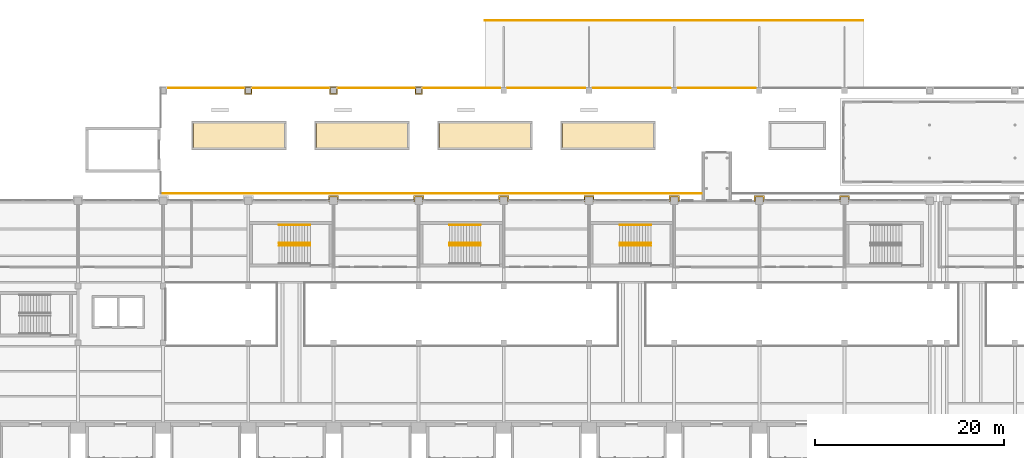
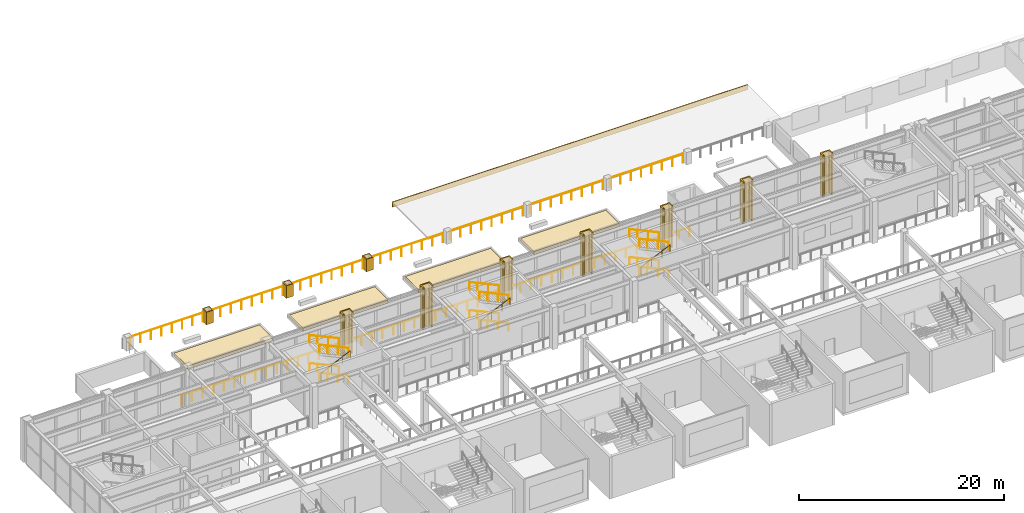
# One storey, part 63 of 67: 23 railings, 15 coverings.
"""IFC4 building model written with IfcOpenShell, lengths in metres."""

from ifc_helpers import new_model, si_unit, direction, frame, origin, origin_2d, place, context, subcontext, project, spatial, polyline, circle, outline, extrude, material, layer, layer_set, type_object, element, save


model = new_model("IFC4")

# Units and contexts
model_context = context("Model", 3, precision=1e-05, world=origin(), true_north=direction((0.0, 1.0)))
body_context = subcontext(model_context, "Body", "Model", "MODEL_VIEW")
ifc_project = project(units=[si_unit("LENGTHUNIT", "METRE"), si_unit("AREAUNIT", "SQUARE_METRE"), si_unit("VOLUMEUNIT", "CUBIC_METRE"), si_unit("PLANEANGLEUNIT", "RADIAN"), si_unit("MASSUNIT", "GRAM", prefix="KILO")], contexts=[model_context])

# Site, building, storey
site_placement = place(None, origin())
site = spatial("IfcSite", under=ifc_project, at=site_placement, CompositionType="ELEMENT")
building_placement = place(site_placement, origin())
building = spatial("IfcBuilding", under=site, at=building_placement, Name="Aravalli Gate Trade Fair Centre", CompositionType="ELEMENT")
storey_placement = place(building_placement, frame((0.0, 0.0, 5.0)))
storey = spatial("IfcBuildingStorey", under=building, at=storey_placement, Name="L01", CompositionType="ELEMENT", Elevation=5.0)

# Coverings
ifc_material_1 = material(Name="Glazed terracotta", Category="masonry")
ifc_layer_1 = layer(ifc_material_1, 0.10009765625)
ifc_layer_set_1 = layer_set([ifc_layer_1], Name="Glazed terracotta")
covering_type_1 = type_object("IfcCoveringType", Name="Arcade pier casing 100", PredefinedType="CLADDING", material=ifc_layer_set_1)
covering_1_placement = place(storey_placement, origin())
element("IfcCovering", 1, at=covering_1_placement, inside=storey, type_object=covering_type_1, Name="Arcade pier casing 04 L01", PredefinedType="CLADDING", context=body_context, shape_type="SweptSolid", body=[
    extrude(outline(polyline([(32.60009765625, 144.25), (33.39990234375, 144.25), (33.39990234375, 145.050048828125), (32.60009765625, 145.050048828125), (32.60009765625, 144.25)]), holes=[polyline([(33.300048828125, 144.949951171875), (33.300048828125, 144.35009765625), (32.699951171875, 144.35009765625), (32.699951171875, 144.949951171875), (33.300048828125, 144.949951171875)])]), origin(), (0.0, 0.0, 1.0), 1.5),
])
covering_2_placement = place(storey_placement, origin())
element("IfcCovering", 2, at=covering_2_placement, inside=storey, type_object=covering_type_1, Name="Arcade pier casing 05 L01", PredefinedType="CLADDING", context=body_context, shape_type="SweptSolid", body=[
    extrude(outline(polyline([(41.60009765625, 144.25), (42.39990234375, 144.25), (42.39990234375, 145.050048828125), (41.60009765625, 145.050048828125), (41.60009765625, 144.25)]), holes=[polyline([(42.300048828125, 144.949951171875), (42.300048828125, 144.35009765625), (41.699951171875, 144.35009765625), (41.699951171875, 144.949951171875), (42.300048828125, 144.949951171875)])]), origin(), (0.0, 0.0, 1.0), 1.5),
])
covering_3_placement = place(storey_placement, origin())
element("IfcCovering", 3, at=covering_3_placement, inside=storey, type_object=covering_type_1, Name="Arcade pier casing 06 L01", PredefinedType="CLADDING", context=body_context, shape_type="SweptSolid", body=[
    extrude(outline(polyline([(50.60009765625, 144.25), (51.39990234375, 144.25), (51.39990234375, 145.050048828125), (50.60009765625, 145.050048828125), (50.60009765625, 144.25)]), holes=[polyline([(51.300048828125, 144.949951171875), (51.300048828125, 144.35009765625), (50.699951171875, 144.35009765625), (50.699951171875, 144.949951171875), (51.300048828125, 144.949951171875)])]), origin(), (0.0, 0.0, 1.0), 1.5),
])

# Railings
ifc_material_2 = material(Name="Steel E350", Category="steel")
railing_type_1 = type_object("IfcRailingType", Name="Arcade terrace guard 1100", PredefinedType="GUARDRAIL", material=ifc_material_2)
for number, where, name in (
    (4, (24.39990234375, 144.89990234375, 0.0), "Terrace guard N03"),
    (5, (33.39990234375, 144.89990234375, 0.0), "Terrace guard N04"),
    (6, (42.39990234375, 144.89990234375, 0.0), "Terrace guard N05"),
    (7, (51.39990234375, 144.89990234375, 0.0), "Terrace guard N06"),
    (8, (60.39990234375, 144.89990234375, 0.0), "Terrace guard N07"),
    (9, (69.39990234375, 144.89990234375, 0.0), "Terrace guard N08"),
    (10, (78.39990234375, 144.89990234375, 0.0), "Terrace guard N09"),
):
    element("IfcRailing", number, at=place(storey_placement, frame(where)), inside=storey, type_object=railing_type_1, Name=name, PredefinedType="GUARDRAIL", context=body_context, shape_type="SweptSolid", body=[
        extrude(circle(Radius=0.02392578125, at=origin_2d()), frame((0.0, 0.0, 1.076171875), z_axis=(1.0, 0.0, 0.0), x_axis=(0.0, 1.0, 0.0)), (0.0, 0.0, 1.0), 8.2001953125),
        extrude(circle(Radius=0.02099609375, at=origin_2d()), origin(), (0.0, 0.0, 1.0), 1.052001953125),
        extrude(circle(Radius=0.02099609375, at=origin_2d()), frame((1.17138671875, 0.0, 0.0)), (0.0, 0.0, 1.0), 1.052001953125),
        extrude(circle(Radius=0.02099609375, at=origin_2d()), frame((2.343017578125, 0.0, 0.0)), (0.0, 0.0, 1.0), 1.052001953125),
        extrude(circle(Radius=0.02099609375, at=origin_2d()), frame((3.514404296875, 0.0, 0.0)), (0.0, 0.0, 1.0), 1.052001953125),
        extrude(circle(Radius=0.02099609375, at=origin_2d()), frame((4.685791015625, 0.0, 0.0)), (0.0, 0.0, 1.0), 1.052001953125),
        extrude(circle(Radius=0.02099609375, at=origin_2d()), frame((5.857177734375, 0.0, 0.0)), (0.0, 0.0, 1.0), 1.052001953125),
        extrude(circle(Radius=0.02099609375, at=origin_2d()), frame((7.02880859375, 0.0, 0.0)), (0.0, 0.0, 1.0), 1.052001953125),
        extrude(circle(Radius=0.02099609375, at=origin_2d()), frame((8.2001953125, 0.0, 0.0)), (0.0, 0.0, 1.0), 1.052001953125),
    ])
railing_1_placement = place(storey_placement, frame((23.75, 133.75, 0.0)))
element("IfcRailing", 11, at=railing_1_placement, inside=storey, type_object=railing_type_1, Name="Terrace guard S1", PredefinedType="GUARDRAIL", context=body_context, shape_type="SweptSolid", body=[
    extrude(circle(Radius=0.02392578125, at=origin_2d()), frame((0.0, 0.0, 1.076171875), z_axis=(1.0, 0.0, 0.0), x_axis=(0.0, 1.0, 0.0)), (0.0, 0.0, 1.0), 57.169921875),
    extrude(circle(Radius=0.02099609375, at=origin_2d()), origin(), (0.0, 0.0, 1.0), 1.052001953125),
    extrude(circle(Radius=0.02099609375, at=origin_2d()), frame((1.19091796875, 0.0, 0.0)), (0.0, 0.0, 1.0), 1.052001953125),
    extrude(circle(Radius=0.02099609375, at=origin_2d()), frame((2.382080078125, 0.0, 0.0)), (0.0, 0.0, 1.0), 1.052001953125),
    extrude(circle(Radius=0.02099609375, at=origin_2d()), frame((3.5732421875, 0.0, 0.0)), (0.0, 0.0, 1.0), 1.052001953125),
    extrude(circle(Radius=0.02099609375, at=origin_2d()), frame((4.76416015625, 0.0, 0.0)), (0.0, 0.0, 1.0), 1.052001953125),
    extrude(circle(Radius=0.02099609375, at=origin_2d()), frame((5.955078125, 0.0, 0.0)), (0.0, 0.0, 1.0), 1.052001953125),
    extrude(circle(Radius=0.02099609375, at=origin_2d()), frame((7.146240234375, 0.0, 0.0)), (0.0, 0.0, 1.0), 1.052001953125),
    extrude(circle(Radius=0.02099609375, at=origin_2d()), frame((8.33740234375, 0.0, 0.0)), (0.0, 0.0, 1.0), 1.052001953125),
    extrude(circle(Radius=0.02099609375, at=origin_2d()), frame((9.5283203125, 0.0, 0.0)), (0.0, 0.0, 1.0), 1.052001953125),
    extrude(circle(Radius=0.02099609375, at=origin_2d()), frame((10.71923828125, 0.0, 0.0)), (0.0, 0.0, 1.0), 1.052001953125),
    extrude(circle(Radius=0.02099609375, at=origin_2d()), frame((11.910400390625, 0.0, 0.0)), (0.0, 0.0, 1.0), 1.052001953125),
    extrude(circle(Radius=0.02099609375, at=origin_2d()), frame((13.1015625, 0.0, 0.0)), (0.0, 0.0, 1.0), 1.052001953125),
    extrude(circle(Radius=0.02099609375, at=origin_2d()), frame((14.29248046875, 0.0, 0.0)), (0.0, 0.0, 1.0), 1.052001953125),
    extrude(circle(Radius=0.02099609375, at=origin_2d()), frame((15.4833984375, 0.0, 0.0)), (0.0, 0.0, 1.0), 1.052001953125),
    extrude(circle(Radius=0.02099609375, at=origin_2d()), frame((16.674560546875, 0.0, 0.0)), (0.0, 0.0, 1.0), 1.052001953125),
    extrude(circle(Radius=0.02099609375, at=origin_2d()), frame((17.86572265625, 0.0, 0.0)), (0.0, 0.0, 1.0), 1.052001953125),
    extrude(circle(Radius=0.02099609375, at=origin_2d()), frame((19.056640625, 0.0, 0.0)), (0.0, 0.0, 1.0), 1.052001953125),
    extrude(circle(Radius=0.02099609375, at=origin_2d()), frame((20.24755859375, 0.0, 0.0)), (0.0, 0.0, 1.0), 1.052001953125),
    extrude(circle(Radius=0.02099609375, at=origin_2d()), frame((21.438720703125, 0.0, 0.0)), (0.0, 0.0, 1.0), 1.052001953125),
    extrude(circle(Radius=0.02099609375, at=origin_2d()), frame((22.6298828125, 0.0, 0.0)), (0.0, 0.0, 1.0), 1.052001953125),
    extrude(circle(Radius=0.02099609375, at=origin_2d()), frame((23.82080078125, 0.0, 0.0)), (0.0, 0.0, 1.0), 1.052001953125),
    extrude(circle(Radius=0.02099609375, at=origin_2d()), frame((25.01171875, 0.0, 0.0)), (0.0, 0.0, 1.0), 1.052001953125),
    extrude(circle(Radius=0.02099609375, at=origin_2d()), frame((26.202880859375, 0.0, 0.0)), (0.0, 0.0, 1.0), 1.052001953125),
    extrude(circle(Radius=0.02099609375, at=origin_2d()), frame((27.39404296875, 0.0, 0.0)), (0.0, 0.0, 1.0), 1.052001953125),
    extrude(circle(Radius=0.02099609375, at=origin_2d()), frame((28.5849609375, 0.0, 0.0)), (0.0, 0.0, 1.0), 1.052001953125),
    extrude(circle(Radius=0.02099609375, at=origin_2d()), frame((29.776123046875, 0.0, 0.0)), (0.0, 0.0, 1.0), 1.052001953125),
    extrude(circle(Radius=0.02099609375, at=origin_2d()), frame((30.967041015625, 0.0, 0.0)), (0.0, 0.0, 1.0), 1.052001953125),
    extrude(circle(Radius=0.02099609375, at=origin_2d()), frame((32.158203125, 0.0, 0.0)), (0.0, 0.0, 1.0), 1.052001953125),
    extrude(circle(Radius=0.02099609375, at=origin_2d()), frame((33.34912109375, 0.0, 0.0)), (0.0, 0.0, 1.0), 1.052001953125),
    extrude(circle(Radius=0.02099609375, at=origin_2d()), frame((34.5400390625, 0.0, 0.0)), (0.0, 0.0, 1.0), 1.052001953125),
    extrude(circle(Radius=0.02099609375, at=origin_2d()), frame((35.731201171875, 0.0, 0.0)), (0.0, 0.0, 1.0), 1.052001953125),
    extrude(circle(Radius=0.02099609375, at=origin_2d()), frame((36.92236328125, 0.0, 0.0)), (0.0, 0.0, 1.0), 1.052001953125),
    extrude(circle(Radius=0.02099609375, at=origin_2d()), frame((38.11328125, 0.0, 0.0)), (0.0, 0.0, 1.0), 1.052001953125),
    extrude(circle(Radius=0.02099609375, at=origin_2d()), frame((39.30419921875, 0.0, 0.0)), (0.0, 0.0, 1.0), 1.052001953125),
    extrude(circle(Radius=0.02099609375, at=origin_2d()), frame((40.495361328125, 0.0, 0.0)), (0.0, 0.0, 1.0), 1.052001953125),
    extrude(circle(Radius=0.02099609375, at=origin_2d()), frame((41.6865234375, 0.0, 0.0)), (0.0, 0.0, 1.0), 1.052001953125),
    extrude(circle(Radius=0.02099609375, at=origin_2d()), frame((42.87744140625, 0.0, 0.0)), (0.0, 0.0, 1.0), 1.052001953125),
    extrude(circle(Radius=0.02099609375, at=origin_2d()), frame((44.068359375, 0.0, 0.0)), (0.0, 0.0, 1.0), 1.052001953125),
    extrude(circle(Radius=0.02099609375, at=origin_2d()), frame((45.259521484375, 0.0, 0.0)), (0.0, 0.0, 1.0), 1.052001953125),
    extrude(circle(Radius=0.02099609375, at=origin_2d()), frame((46.45068359375, 0.0, 0.0)), (0.0, 0.0, 1.0), 1.052001953125),
    extrude(circle(Radius=0.02099609375, at=origin_2d()), frame((47.6416015625, 0.0, 0.0)), (0.0, 0.0, 1.0), 1.052001953125),
    extrude(circle(Radius=0.02099609375, at=origin_2d()), frame((48.83251953125, 0.0, 0.0)), (0.0, 0.0, 1.0), 1.052001953125),
    extrude(circle(Radius=0.02099609375, at=origin_2d()), frame((50.023681640625, 0.0, 0.0)), (0.0, 0.0, 1.0), 1.052001953125),
    extrude(circle(Radius=0.02099609375, at=origin_2d()), frame((51.21484375, 0.0, 0.0)), (0.0, 0.0, 1.0), 1.052001953125),
    extrude(circle(Radius=0.02099609375, at=origin_2d()), frame((52.40576171875, 0.0, 0.0)), (0.0, 0.0, 1.0), 1.052001953125),
    extrude(circle(Radius=0.02099609375, at=origin_2d()), frame((53.5966796875, 0.0, 0.0)), (0.0, 0.0, 1.0), 1.052001953125),
    extrude(circle(Radius=0.02099609375, at=origin_2d()), frame((54.787841796875, 0.0, 0.0)), (0.0, 0.0, 1.0), 1.052001953125),
    extrude(circle(Radius=0.02099609375, at=origin_2d()), frame((55.97900390625, 0.0, 0.0)), (0.0, 0.0, 1.0), 1.052001953125),
    extrude(circle(Radius=0.02099609375, at=origin_2d()), frame((57.169921875, 0.0, 0.0)), (0.0, 0.0, 1.0), 1.052001953125),
])

# Covering
ifc_layer_2 = layer(ifc_material_1, 0.10009765625)
ifc_layer_set_2 = layer_set([ifc_layer_2], Name="Glazed terracotta")
covering_type_2 = type_object("IfcCoveringType", Name="Canopy fascia, terracotta 100 x 600", PredefinedType="CLADDING", material=ifc_layer_set_2)
covering_4_placement = place(storey_placement, frame((0.0, 0.0, 0.39990234375)))
element("IfcCovering", 12, at=covering_4_placement, inside=storey, type_object=covering_type_2, Name="Entrance canopy fascia", PredefinedType="CLADDING", context=body_context, shape_type="SweptSolid", body=[
    extrude(outline(polyline([(98.0, 152.0), (98.0, 152.10009765625), (58.0, 152.10009765625), (58.0, 152.0), (98.0, 152.0)])), origin(), (0.0, 0.0, 1.0), 0.60009765625),
])

# Railings
railing_type_2 = type_object("IfcRailingType", Name="Concourse stair handrail 900", PredefinedType="HANDRAIL", material=ifc_material_2)
for number, where, name in (
    (13, (39.550048828125, 130.449951171875, 0.138916015625), "Handrail XA L01 flight 1o"),
    (14, (39.550048828125, 128.550048828125, 0.138916015625), "Handrail XA L01 flight 1i"),
):
    element("IfcRailing", number, at=place(storey_placement, frame(where)), inside=storey, type_object=railing_type_2, Name=name, PredefinedType="HANDRAIL", context=body_context, shape_type="SweptSolid", body=[
        extrude(circle(Radius=0.02392578125, at=origin_2d()), frame((0.0, 0.0, 0.8759765625), z_axis=(-0.907499493834, 0.0, 0.420053173647), x_axis=(0.0, -1.0, 0.0)), (0.0, 0.0, 1.0), 1.322265625),
        extrude(circle(Radius=0.02392578125, at=origin_2d()), frame((-1.199951171875, 0.0, 1.43115234375), z_axis=(-0.907461694017, 0.0, 0.420134828231), x_axis=(0.0, -1.0, 0.0)), (0.0, 0.0, 1.0), 1.322509765625),
        extrude(circle(Radius=0.02392578125, at=origin_2d()), frame((-2.400146484375, 0.0, 1.98681640625), z_axis=(-0.907418235185, 0.0, 0.420228683522), x_axis=(0.0, -1.0, 0.0)), (0.0, 0.0, 1.0), 0.99169921875),
        extrude(circle(Radius=0.02099609375, at=origin_2d()), origin(), (0.0, 0.0, 1.0), 0.851806640625),
        extrude(circle(Radius=0.02099609375, at=origin_2d()), frame((-1.199951171875, 0.0, 0.555419921875)), (0.0, 0.0, 1.0), 0.851806640625),
        extrude(circle(Radius=0.02099609375, at=origin_2d()), frame((-2.400146484375, 0.0, 1.111083984375)), (0.0, 0.0, 1.0), 0.851806640625),
        extrude(circle(Radius=0.02099609375, at=origin_2d()), frame((-3.300048828125, 0.0, 1.52783203125)), (0.0, 0.0, 1.0), 0.851806640625),
    ])
railing_2_placement = place(storey_placement, frame((36.25, 128.25, 1.8056640625)))
element("IfcRailing", 15, at=railing_2_placement, inside=storey, type_object=railing_type_2, Name="Handrail XA L01 flight 2i", PredefinedType="HANDRAIL", context=body_context, shape_type="SweptSolid", body=[
    extrude(circle(Radius=0.02392578125, at=origin_2d()), frame((0.0, 0.0, 0.8759765625), z_axis=(0.907499493834, 0.0, 0.420053173647), x_axis=(0.0, 1.0, 0.0)), (0.0, 0.0, 1.0), 1.322265625),
    extrude(circle(Radius=0.02392578125, at=origin_2d()), frame((1.199951171875, 0.0, 1.43115234375), z_axis=(0.907429102623, 0.0, 0.420205216189), x_axis=(0.0, 1.0, 0.0)), (0.0, 0.0, 1.0), 1.322265625),
    extrude(circle(Radius=0.02392578125, at=origin_2d()), frame((2.39990234375, 0.0, 1.98681640625), z_axis=(0.907555517655, 0.0, 0.419932116387), x_axis=(0.0, 1.0, 0.0)), (0.0, 0.0, 1.0), 0.991943359375),
    extrude(circle(Radius=0.02099609375, at=origin_2d()), origin(), (0.0, 0.0, 1.0), 0.851806640625),
    extrude(circle(Radius=0.02099609375, at=origin_2d()), frame((1.199951171875, 0.0, 0.555419921875)), (0.0, 0.0, 1.0), 0.851806640625),
    extrude(circle(Radius=0.02099609375, at=origin_2d()), frame((2.39990234375, 0.0, 1.111083984375)), (0.0, 0.0, 1.0), 0.851806640625),
    extrude(circle(Radius=0.02099609375, at=origin_2d()), frame((3.300048828125, 0.0, 1.527587890625)), (0.0, 0.0, 1.0), 0.851806640625),
])
for number, where, name in (
    (16, (39.550048828125, 130.449951171875, 3.47216796875), "Handrail XA L01 flight 3o"),
    (17, (39.550048828125, 128.550048828125, 3.47216796875), "Handrail XA L01 flight 3i"),
):
    element("IfcRailing", number, at=place(storey_placement, frame(where)), inside=storey, type_object=railing_type_2, Name=name, PredefinedType="HANDRAIL", context=body_context, shape_type="SweptSolid", body=[
        extrude(circle(Radius=0.02392578125, at=origin_2d()), frame((0.0, 0.0, 0.8759765625), z_axis=(-0.907429102623, 0.0, 0.420205216189), x_axis=(0.0, -1.0, 0.0)), (0.0, 0.0, 1.0), 1.322265625),
        extrude(circle(Radius=0.02392578125, at=origin_2d()), frame((-1.199951171875, 0.0, 1.431640625), z_axis=(-0.907532064172, 0.0, 0.419982800242), x_axis=(0.0, -1.0, 0.0)), (0.0, 0.0, 1.0), 1.322509765625),
        extrude(circle(Radius=0.02392578125, at=origin_2d()), frame((-2.400146484375, 0.0, 1.98681640625), z_axis=(-0.907418235185, 0.0, 0.420228683522), x_axis=(0.0, -1.0, 0.0)), (0.0, 0.0, 1.0), 0.99169921875),
        extrude(circle(Radius=0.02099609375, at=origin_2d()), origin(), (0.0, 0.0, 1.0), 0.851806640625),
        extrude(circle(Radius=0.02099609375, at=origin_2d()), frame((-1.199951171875, 0.0, 0.5556640625)), (0.0, 0.0, 1.0), 0.851806640625),
        extrude(circle(Radius=0.02099609375, at=origin_2d()), frame((-2.400146484375, 0.0, 1.111083984375)), (0.0, 0.0, 1.0), 0.851806640625),
        extrude(circle(Radius=0.02099609375, at=origin_2d()), frame((-3.300048828125, 0.0, 1.52783203125)), (0.0, 0.0, 1.0), 0.851806640625),
    ])
for number, where, name in (
    (18, (57.550048828125, 130.449951171875, 0.138916015625), "Handrail XB L01 flight 1o"),
    (19, (57.550048828125, 128.550048828125, 0.138916015625), "Handrail XB L01 flight 1i"),
):
    element("IfcRailing", number, at=place(storey_placement, frame(where)), inside=storey, type_object=railing_type_2, Name=name, PredefinedType="HANDRAIL", context=body_context, shape_type="SweptSolid", body=[
        extrude(circle(Radius=0.02392578125, at=origin_2d()), frame((0.0, 0.0, 0.8759765625), z_axis=(-0.907499493834, 0.0, 0.420053173647), x_axis=(0.0, -1.0, 0.0)), (0.0, 0.0, 1.0), 1.322265625),
        extrude(circle(Radius=0.02392578125, at=origin_2d()), frame((-1.199951171875, 0.0, 1.43115234375), z_axis=(-0.907461694017, 0.0, 0.420134828231), x_axis=(0.0, -1.0, 0.0)), (0.0, 0.0, 1.0), 1.322509765625),
        extrude(circle(Radius=0.02392578125, at=origin_2d()), frame((-2.400146484375, 0.0, 1.98681640625), z_axis=(-0.907418235185, 0.0, 0.420228683522), x_axis=(0.0, -1.0, 0.0)), (0.0, 0.0, 1.0), 0.99169921875),
        extrude(circle(Radius=0.02099609375, at=origin_2d()), origin(), (0.0, 0.0, 1.0), 0.851806640625),
        extrude(circle(Radius=0.02099609375, at=origin_2d()), frame((-1.199951171875, 0.0, 0.555419921875)), (0.0, 0.0, 1.0), 0.851806640625),
        extrude(circle(Radius=0.02099609375, at=origin_2d()), frame((-2.400146484375, 0.0, 1.111083984375)), (0.0, 0.0, 1.0), 0.851806640625),
        extrude(circle(Radius=0.02099609375, at=origin_2d()), frame((-3.300048828125, 0.0, 1.52783203125)), (0.0, 0.0, 1.0), 0.851806640625),
    ])
railing_3_placement = place(storey_placement, frame((54.25, 128.25, 1.8056640625)))
element("IfcRailing", 20, at=railing_3_placement, inside=storey, type_object=railing_type_2, Name="Handrail XB L01 flight 2i", PredefinedType="HANDRAIL", context=body_context, shape_type="SweptSolid", body=[
    extrude(circle(Radius=0.02392578125, at=origin_2d()), frame((0.0, 0.0, 0.8759765625), z_axis=(0.907499493834, 0.0, 0.420053173647), x_axis=(0.0, 1.0, 0.0)), (0.0, 0.0, 1.0), 1.322265625),
    extrude(circle(Radius=0.02392578125, at=origin_2d()), frame((1.199951171875, 0.0, 1.43115234375), z_axis=(0.907429102623, 0.0, 0.420205216189), x_axis=(0.0, 1.0, 0.0)), (0.0, 0.0, 1.0), 1.322265625),
    extrude(circle(Radius=0.02392578125, at=origin_2d()), frame((2.39990234375, 0.0, 1.98681640625), z_axis=(0.907555517655, 0.0, 0.419932116387), x_axis=(0.0, 1.0, 0.0)), (0.0, 0.0, 1.0), 0.991943359375),
    extrude(circle(Radius=0.02099609375, at=origin_2d()), origin(), (0.0, 0.0, 1.0), 0.851806640625),
    extrude(circle(Radius=0.02099609375, at=origin_2d()), frame((1.199951171875, 0.0, 0.555419921875)), (0.0, 0.0, 1.0), 0.851806640625),
    extrude(circle(Radius=0.02099609375, at=origin_2d()), frame((2.39990234375, 0.0, 1.111083984375)), (0.0, 0.0, 1.0), 0.851806640625),
    extrude(circle(Radius=0.02099609375, at=origin_2d()), frame((3.300048828125, 0.0, 1.527587890625)), (0.0, 0.0, 1.0), 0.851806640625),
])
for number, where, name in (
    (21, (57.550048828125, 130.449951171875, 3.47216796875), "Handrail XB L01 flight 3o"),
    (22, (57.550048828125, 128.550048828125, 3.47216796875), "Handrail XB L01 flight 3i"),
):
    element("IfcRailing", number, at=place(storey_placement, frame(where)), inside=storey, type_object=railing_type_2, Name=name, PredefinedType="HANDRAIL", context=body_context, shape_type="SweptSolid", body=[
        extrude(circle(Radius=0.02392578125, at=origin_2d()), frame((0.0, 0.0, 0.8759765625), z_axis=(-0.907429102623, 0.0, 0.420205216189), x_axis=(0.0, -1.0, 0.0)), (0.0, 0.0, 1.0), 1.322265625),
        extrude(circle(Radius=0.02392578125, at=origin_2d()), frame((-1.199951171875, 0.0, 1.431640625), z_axis=(-0.907532064172, 0.0, 0.419982800242), x_axis=(0.0, -1.0, 0.0)), (0.0, 0.0, 1.0), 1.322509765625),
        extrude(circle(Radius=0.02392578125, at=origin_2d()), frame((-2.400146484375, 0.0, 1.98681640625), z_axis=(-0.907418235185, 0.0, 0.420228683522), x_axis=(0.0, -1.0, 0.0)), (0.0, 0.0, 1.0), 0.99169921875),
        extrude(circle(Radius=0.02099609375, at=origin_2d()), origin(), (0.0, 0.0, 1.0), 0.851806640625),
        extrude(circle(Radius=0.02099609375, at=origin_2d()), frame((-1.199951171875, 0.0, 0.5556640625)), (0.0, 0.0, 1.0), 0.851806640625),
        extrude(circle(Radius=0.02099609375, at=origin_2d()), frame((-2.400146484375, 0.0, 1.111083984375)), (0.0, 0.0, 1.0), 0.851806640625),
        extrude(circle(Radius=0.02099609375, at=origin_2d()), frame((-3.300048828125, 0.0, 1.52783203125)), (0.0, 0.0, 1.0), 0.851806640625),
    ])
for number, where, name in (
    (23, (75.550048828125, 130.449951171875, 0.138916015625), "Handrail XC L01 flight 1o"),
    (24, (75.550048828125, 128.550048828125, 0.138916015625), "Handrail XC L01 flight 1i"),
):
    element("IfcRailing", number, at=place(storey_placement, frame(where)), inside=storey, type_object=railing_type_2, Name=name, PredefinedType="HANDRAIL", context=body_context, shape_type="SweptSolid", body=[
        extrude(circle(Radius=0.02392578125, at=origin_2d()), frame((0.0, 0.0, 0.8759765625), z_axis=(-0.907499493834, 0.0, 0.420053173647), x_axis=(0.0, -1.0, 0.0)), (0.0, 0.0, 1.0), 1.322265625),
        extrude(circle(Radius=0.02392578125, at=origin_2d()), frame((-1.199951171875, 0.0, 1.43115234375), z_axis=(-0.907461694017, 0.0, 0.420134828231), x_axis=(0.0, -1.0, 0.0)), (0.0, 0.0, 1.0), 1.322509765625),
        extrude(circle(Radius=0.02392578125, at=origin_2d()), frame((-2.400146484375, 0.0, 1.98681640625), z_axis=(-0.907418235185, 0.0, 0.420228683522), x_axis=(0.0, -1.0, 0.0)), (0.0, 0.0, 1.0), 0.99169921875),
        extrude(circle(Radius=0.02099609375, at=origin_2d()), origin(), (0.0, 0.0, 1.0), 0.851806640625),
        extrude(circle(Radius=0.02099609375, at=origin_2d()), frame((-1.199951171875, 0.0, 0.555419921875)), (0.0, 0.0, 1.0), 0.851806640625),
        extrude(circle(Radius=0.02099609375, at=origin_2d()), frame((-2.400146484375, 0.0, 1.111083984375)), (0.0, 0.0, 1.0), 0.851806640625),
        extrude(circle(Radius=0.02099609375, at=origin_2d()), frame((-3.300048828125, 0.0, 1.52783203125)), (0.0, 0.0, 1.0), 0.851806640625),
    ])
railing_4_placement = place(storey_placement, frame((72.25, 128.25, 1.8056640625)))
element("IfcRailing", 25, at=railing_4_placement, inside=storey, type_object=railing_type_2, Name="Handrail XC L01 flight 2i", PredefinedType="HANDRAIL", context=body_context, shape_type="SweptSolid", body=[
    extrude(circle(Radius=0.02392578125, at=origin_2d()), frame((0.0, 0.0, 0.8759765625), z_axis=(0.907499493834, 0.0, 0.420053173647), x_axis=(0.0, 1.0, 0.0)), (0.0, 0.0, 1.0), 1.322265625),
    extrude(circle(Radius=0.02392578125, at=origin_2d()), frame((1.199951171875, 0.0, 1.43115234375), z_axis=(0.907429102623, 0.0, 0.420205216189), x_axis=(0.0, 1.0, 0.0)), (0.0, 0.0, 1.0), 1.322265625),
    extrude(circle(Radius=0.02392578125, at=origin_2d()), frame((2.39990234375, 0.0, 1.98681640625), z_axis=(0.907555517655, 0.0, 0.419932116387), x_axis=(0.0, 1.0, 0.0)), (0.0, 0.0, 1.0), 0.991943359375),
    extrude(circle(Radius=0.02099609375, at=origin_2d()), origin(), (0.0, 0.0, 1.0), 0.851806640625),
    extrude(circle(Radius=0.02099609375, at=origin_2d()), frame((1.199951171875, 0.0, 0.555419921875)), (0.0, 0.0, 1.0), 0.851806640625),
    extrude(circle(Radius=0.02099609375, at=origin_2d()), frame((2.39990234375, 0.0, 1.111083984375)), (0.0, 0.0, 1.0), 0.851806640625),
    extrude(circle(Radius=0.02099609375, at=origin_2d()), frame((3.300048828125, 0.0, 1.527587890625)), (0.0, 0.0, 1.0), 0.851806640625),
])
for number, where, name in (
    (26, (75.550048828125, 130.449951171875, 3.47216796875), "Handrail XC L01 flight 3o"),
    (27, (75.550048828125, 128.550048828125, 3.47216796875), "Handrail XC L01 flight 3i"),
):
    element("IfcRailing", number, at=place(storey_placement, frame(where)), inside=storey, type_object=railing_type_2, Name=name, PredefinedType="HANDRAIL", context=body_context, shape_type="SweptSolid", body=[
        extrude(circle(Radius=0.02392578125, at=origin_2d()), frame((0.0, 0.0, 0.8759765625), z_axis=(-0.907429102623, 0.0, 0.420205216189), x_axis=(0.0, -1.0, 0.0)), (0.0, 0.0, 1.0), 1.322265625),
        extrude(circle(Radius=0.02392578125, at=origin_2d()), frame((-1.199951171875, 0.0, 1.431640625), z_axis=(-0.907532064172, 0.0, 0.419982800242), x_axis=(0.0, -1.0, 0.0)), (0.0, 0.0, 1.0), 1.322509765625),
        extrude(circle(Radius=0.02392578125, at=origin_2d()), frame((-2.400146484375, 0.0, 1.98681640625), z_axis=(-0.907418235185, 0.0, 0.420228683522), x_axis=(0.0, -1.0, 0.0)), (0.0, 0.0, 1.0), 0.99169921875),
        extrude(circle(Radius=0.02099609375, at=origin_2d()), origin(), (0.0, 0.0, 1.0), 0.851806640625),
        extrude(circle(Radius=0.02099609375, at=origin_2d()), frame((-1.199951171875, 0.0, 0.5556640625)), (0.0, 0.0, 1.0), 0.851806640625),
        extrude(circle(Radius=0.02099609375, at=origin_2d()), frame((-2.400146484375, 0.0, 1.111083984375)), (0.0, 0.0, 1.0), 0.851806640625),
        extrude(circle(Radius=0.02099609375, at=origin_2d()), frame((-3.300048828125, 0.0, 1.52783203125)), (0.0, 0.0, 1.0), 0.851806640625),
    ])

# Coverings
ifc_material_3 = material(Name="Planting substrate")
ifc_layer_3 = layer(ifc_material_3, 0.39990234375)
ifc_layer_set_3 = layer_set([ifc_layer_3], Name="Planting substrate")
covering_type_3 = type_object("IfcCoveringType", Name="Terrace planting bed 400", PredefinedType="FLOORING", material=ifc_layer_set_3)
covering_5_placement = place(storey_placement, origin())
element("IfcCovering", 28, at=covering_5_placement, inside=storey, type_object=covering_type_3, Name="Terrace planting bed 1", PredefinedType="FLOORING", context=body_context, shape_type="SweptSolid", body=[
    extrude(outline(polyline([(36.800048828125, 138.60009765625), (36.800048828125, 141.199951171875), (27.199951171875, 141.199951171875), (27.199951171875, 138.60009765625), (36.800048828125, 138.60009765625)])), origin(), (0.0, 0.0, 1.0), 0.39990234375),
])
covering_6_placement = place(storey_placement, origin())
element("IfcCovering", 29, at=covering_6_placement, inside=storey, type_object=covering_type_3, Name="Terrace planting bed 2", PredefinedType="FLOORING", context=body_context, shape_type="SweptSolid", body=[
    extrude(outline(polyline([(49.800048828125, 138.60009765625), (49.800048828125, 141.199951171875), (40.199951171875, 141.199951171875), (40.199951171875, 138.60009765625), (49.800048828125, 138.60009765625)])), origin(), (0.0, 0.0, 1.0), 0.39990234375),
])
covering_7_placement = place(storey_placement, origin())
element("IfcCovering", 30, at=covering_7_placement, inside=storey, type_object=covering_type_3, Name="Terrace planting bed 3", PredefinedType="FLOORING", context=body_context, shape_type="SweptSolid", body=[
    extrude(outline(polyline([(62.800048828125, 138.60009765625), (62.800048828125, 141.199951171875), (53.199951171875, 141.199951171875), (53.199951171875, 138.60009765625), (62.800048828125, 138.60009765625)])), origin(), (0.0, 0.0, 1.0), 0.39990234375),
])
covering_8_placement = place(storey_placement, origin())
element("IfcCovering", 31, at=covering_8_placement, inside=storey, type_object=covering_type_3, Name="Terrace planting bed 4", PredefinedType="FLOORING", context=body_context, shape_type="SweptSolid", body=[
    extrude(outline(polyline([(75.800048828125, 138.60009765625), (75.800048828125, 141.199951171875), (66.199951171875, 141.199951171875), (66.199951171875, 138.60009765625), (75.800048828125, 138.60009765625)])), origin(), (0.0, 0.0, 1.0), 0.39990234375),
])
ifc_layer_4 = layer(ifc_material_1, 0.14990234375)
ifc_layer_set_4 = layer_set([ifc_layer_4], Name="Glazed terracotta")
covering_type_4 = type_object("IfcCoveringType", Name="Terracotta pier casing 150", PredefinedType="CLADDING", material=ifc_layer_set_4)
covering_9_placement = place(storey_placement, origin())
element("IfcCovering", 32, at=covering_9_placement, inside=storey, type_object=covering_type_4, Name="Pier casing K05 L01", PredefinedType="CLADDING", context=body_context, shape_type="SweptSolid", body=[
    extrude(outline(polyline([(41.449951171875, 132.919921875), (41.60009765625, 132.919921875), (41.60009765625, 133.39990234375), (42.39990234375, 133.39990234375), (42.39990234375, 132.919921875), (42.550048828125, 132.919921875), (42.550048828125, 133.550048828125), (41.449951171875, 133.550048828125), (41.449951171875, 132.919921875)])), origin(), (0.0, 0.0, 1.0), 5.0),
])
covering_10_placement = place(storey_placement, origin())
element("IfcCovering", 33, at=covering_10_placement, inside=storey, type_object=covering_type_4, Name="Pier casing K06 L01", PredefinedType="CLADDING", context=body_context, shape_type="SweptSolid", body=[
    extrude(outline(polyline([(50.449951171875, 132.919921875), (50.60009765625, 132.919921875), (50.60009765625, 133.39990234375), (51.39990234375, 133.39990234375), (51.39990234375, 132.919921875), (51.550048828125, 132.919921875), (51.550048828125, 133.550048828125), (50.449951171875, 133.550048828125), (50.449951171875, 132.919921875)])), origin(), (0.0, 0.0, 1.0), 5.0),
])
covering_11_placement = place(storey_placement, origin())
element("IfcCovering", 34, at=covering_11_placement, inside=storey, type_object=covering_type_4, Name="Pier casing K07 L01", PredefinedType="CLADDING", context=body_context, shape_type="SweptSolid", body=[
    extrude(outline(polyline([(59.449951171875, 132.919921875), (59.60009765625, 132.919921875), (59.60009765625, 133.39990234375), (60.39990234375, 133.39990234375), (60.39990234375, 132.919921875), (60.550048828125, 132.919921875), (60.550048828125, 133.550048828125), (59.449951171875, 133.550048828125), (59.449951171875, 132.919921875)])), origin(), (0.0, 0.0, 1.0), 5.0),
])
covering_12_placement = place(storey_placement, origin())
element("IfcCovering", 35, at=covering_12_placement, inside=storey, type_object=covering_type_4, Name="Pier casing K08 L01", PredefinedType="CLADDING", context=body_context, shape_type="SweptSolid", body=[
    extrude(outline(polyline([(68.449951171875, 132.919921875), (68.60009765625, 132.919921875), (68.60009765625, 133.39990234375), (69.39990234375, 133.39990234375), (69.39990234375, 132.919921875), (69.550048828125, 132.919921875), (69.550048828125, 133.550048828125), (68.449951171875, 133.550048828125), (68.449951171875, 132.919921875)])), origin(), (0.0, 0.0, 1.0), 5.0),
])
covering_13_placement = place(storey_placement, origin())
element("IfcCovering", 36, at=covering_13_placement, inside=storey, type_object=covering_type_4, Name="Pier casing K09 L01", PredefinedType="CLADDING", context=body_context, shape_type="SweptSolid", body=[
    extrude(outline(polyline([(77.449951171875, 132.919921875), (77.60009765625, 132.919921875), (77.60009765625, 133.39990234375), (78.39990234375, 133.39990234375), (78.39990234375, 132.919921875), (78.550048828125, 132.919921875), (78.550048828125, 133.550048828125), (77.449951171875, 133.550048828125), (77.449951171875, 132.919921875)])), origin(), (0.0, 0.0, 1.0), 5.0),
])
covering_14_placement = place(storey_placement, origin())
element("IfcCovering", 37, at=covering_14_placement, inside=storey, type_object=covering_type_4, Name="Pier casing K10 L01", PredefinedType="CLADDING", context=body_context, shape_type="SweptSolid", body=[
    extrude(outline(polyline([(86.449951171875, 132.919921875), (86.60009765625, 132.919921875), (86.60009765625, 133.39990234375), (87.39990234375, 133.39990234375), (87.39990234375, 132.919921875), (87.550048828125, 132.919921875), (87.550048828125, 133.550048828125), (86.449951171875, 133.550048828125), (86.449951171875, 132.919921875)])), origin(), (0.0, 0.0, 1.0), 5.0),
])
covering_15_placement = place(storey_placement, origin())
element("IfcCovering", 38, at=covering_15_placement, inside=storey, type_object=covering_type_4, Name="Pier casing K11 L01", PredefinedType="CLADDING", context=body_context, shape_type="SweptSolid", body=[
    extrude(outline(polyline([(95.449951171875, 132.919921875), (95.60009765625, 132.919921875), (95.60009765625, 133.39990234375), (96.39990234375, 133.39990234375), (96.39990234375, 132.919921875), (96.550048828125, 132.919921875), (96.550048828125, 133.550048828125), (95.449951171875, 133.550048828125), (95.449951171875, 132.919921875)])), origin(), (0.0, 0.0, 1.0), 5.0),
])

save(model, "model.ifc")
